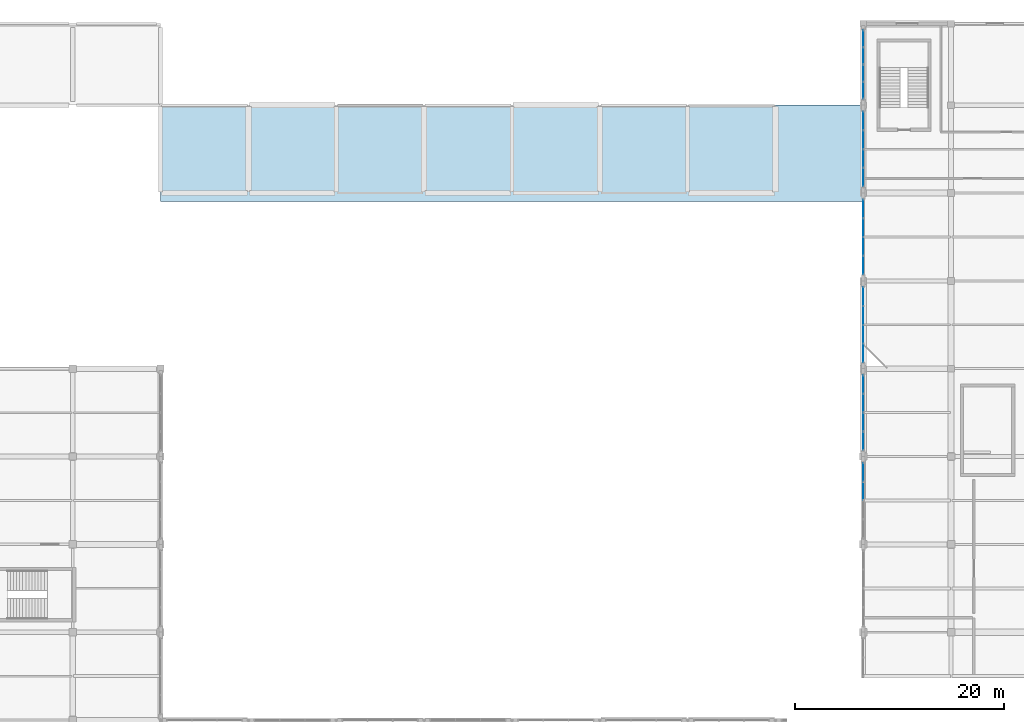
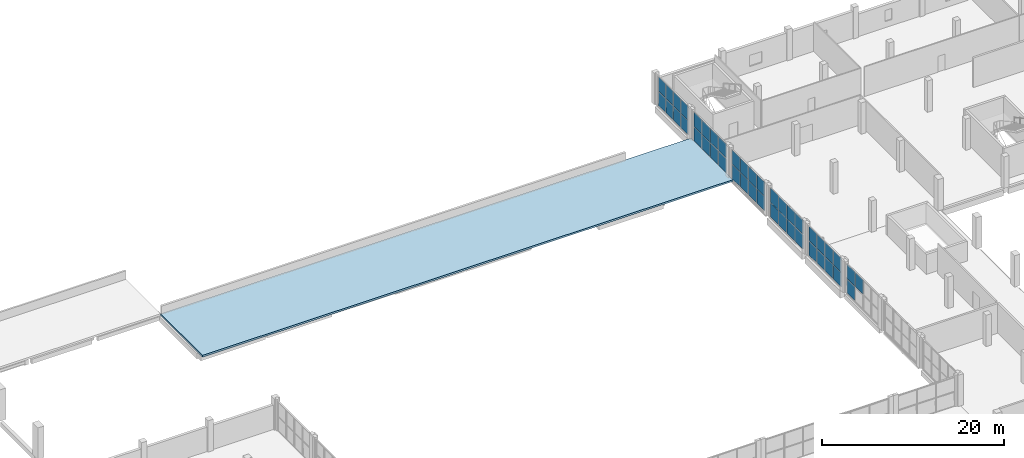
# One storey, part 44 of 59: 43 plates, 1 slab, 6 elements without a shape of their own.
"""IFC4 building model written with IfcOpenShell, lengths in metres."""

from ifc_helpers import new_model, si_unit, derived_unit, direction, frame, origin, origin_2d, place, context, subcontext, project, spatial, polyline, rectangle, outline, extrude, material, layer, layer_set, type_object, element, aggregate, save


model = new_model("IFC4")

# Units and contexts
model_context = context("Model", 3, precision=1e-05, world=origin(), true_north=direction((0.0, 1.0)))
body_context = subcontext(model_context, "Body", "Model", "MODEL_VIEW")
ifc_project = project(units=[si_unit("LENGTHUNIT", "METRE"), si_unit("AREAUNIT", "SQUARE_METRE"), si_unit("VOLUMEUNIT", "CUBIC_METRE"), si_unit("PLANEANGLEUNIT", "RADIAN"), si_unit("MASSUNIT", "GRAM", prefix="KILO"), derived_unit("THERMALTRANSMITTANCEUNIT", [(si_unit("POWERUNIT", "WATT"), 1), (si_unit("LENGTHUNIT", "METRE"), -2), (si_unit("THERMODYNAMICTEMPERATUREUNIT", "KELVIN"), -1)])], contexts=[model_context])

# Site, building, storey
site_placement = place(None, origin())
site = spatial("IfcSite", under=ifc_project, at=site_placement, CompositionType="ELEMENT")
building_placement = place(site_placement, origin())
building = spatial("IfcBuilding", under=site, at=building_placement, Name="Barrovel Congress Hotel", CompositionType="ELEMENT")
storey_placement = place(building_placement, frame((0.0, 0.0, 9.89990234375)))
storey = spatial("IfcBuildingStorey", under=building, at=storey_placement, Name="L02", CompositionType="ELEMENT", Elevation=9.89990234375)

# Curtain wall, plates
ifc_material_1 = material(Name="Anodised Aluminium Alloy 6063-T6", Category="aluminium")
curtain_wall_type = type_object("IfcCurtainWallType", Name="CW-ST-7200x3600", PredefinedType="USERDEFINED", material=ifc_material_1)
curtain_wall_1_placement = place(storey_placement, origin())
curtain_wall_1 = element("IfcCurtainWall", 1, at=curtain_wall_1_placement, inside=storey, type_object=curtain_wall_type, Name="CW:L02:CE:63.0", ObjectType="STICK CURTAIN WALL", PredefinedType="USERDEFINED")
ifc_material_2 = material(Name="Double Low-E Insulated Glazing", Category="glass")
ifc_layer_1 = layer(ifc_material_2, 0.028076171875)
ifc_layer_set_1 = layer_set([ifc_layer_1], Name="Double Low-E Insulated Glazing")
plate_type_1 = type_object("IfcPlateType", Name="CWP-28", PredefinedType="CURTAIN_PANEL", material=ifc_layer_set_1)
plate_1_placement = place(storey_placement, frame((126.0, 69.89990234375, 0.030029296875), z_axis=(0.0, 0.0, 1.0), x_axis=(0.0, -1.0, 0.0)))
plate_1 = element("IfcPlate", 2, at=plate_1_placement, type_object=plate_type_1, Name="CW:L02:CE:63.0:P0-0", PredefinedType="CURTAIN_PANEL", context=body_context, shape_type="SweptSolid", body=[
    extrude(rectangle(XDim=1.739990234375, YDim=0.028076171875, at=origin_2d()), origin(), (0.0, 0.0, 1.0), 1.89990234375),
])
plate_2_placement = place(storey_placement, frame((126.0, 69.89990234375, 1.990234375), z_axis=(0.0, 0.0, 1.0), x_axis=(0.0, -1.0, 0.0)))
plate_2 = element("IfcPlate", 3, at=plate_2_placement, type_object=plate_type_1, Name="CW:L02:CE:63.0:P0-1", PredefinedType="CURTAIN_PANEL", context=body_context, shape_type="SweptSolid", body=[
    extrude(rectangle(XDim=1.739990234375, YDim=0.028076171875, at=origin_2d()), origin(), (0.0, 0.0, 1.0), 1.89990234375),
])
plate_3_placement = place(storey_placement, frame((126.0, 68.10009765625, 1.990234375), z_axis=(0.0, 0.0, 1.0), x_axis=(0.0, -1.0, 0.0)))
plate_3 = element("IfcPlate", 4, at=plate_3_placement, type_object=plate_type_1, Name="CW:L02:CE:63.0:P1-1", PredefinedType="CURTAIN_PANEL", context=body_context, shape_type="SweptSolid", body=[
    extrude(rectangle(XDim=1.739990234375, YDim=0.028076171875, at=origin_2d()), origin(), (0.0, 0.0, 1.0), 1.89990234375),
])
aggregate(curtain_wall_1, [plate_1, plate_2, plate_3])

curtain_wall_2_placement = place(storey_placement, origin())
curtain_wall_2 = element("IfcCurtainWall", 5, at=curtain_wall_2_placement, inside=storey, type_object=curtain_wall_type, Name="CW:L02:CE:79.8", ObjectType="STICK CURTAIN WALL", PredefinedType="USERDEFINED")
plate_4_placement = place(storey_placement, frame((126.0, 86.699951171875, 0.030029296875), z_axis=(0.0, 0.0, 1.0), x_axis=(0.0, -1.0, 0.0)))
plate_4 = element("IfcPlate", 6, at=plate_4_placement, type_object=plate_type_1, Name="CW:L02:CE:79.8:P0-0", PredefinedType="CURTAIN_PANEL", context=body_context, shape_type="SweptSolid", body=[
    extrude(rectangle(XDim=1.739990234375, YDim=0.028076171875, at=origin_2d()), origin(), (0.0, 0.0, 1.0), 1.89990234375),
])
plate_5_placement = place(storey_placement, frame((126.0, 86.699951171875, 1.990234375), z_axis=(0.0, 0.0, 1.0), x_axis=(0.0, -1.0, 0.0)))
plate_5 = element("IfcPlate", 7, at=plate_5_placement, type_object=plate_type_1, Name="CW:L02:CE:79.8:P0-1", PredefinedType="CURTAIN_PANEL", context=body_context, shape_type="SweptSolid", body=[
    extrude(rectangle(XDim=1.739990234375, YDim=0.028076171875, at=origin_2d()), origin(), (0.0, 0.0, 1.0), 1.89990234375),
])
plate_6_placement = place(storey_placement, frame((126.0, 84.89990234375, 0.030029296875), z_axis=(0.0, 0.0, 1.0), x_axis=(0.0, -1.0, 0.0)))
plate_6 = element("IfcPlate", 8, at=plate_6_placement, type_object=plate_type_1, Name="CW:L02:CE:79.8:P1-0", PredefinedType="CURTAIN_PANEL", context=body_context, shape_type="SweptSolid", body=[
    extrude(rectangle(XDim=1.739990234375, YDim=0.028076171875, at=origin_2d()), origin(), (0.0, 0.0, 1.0), 1.89990234375),
])
plate_7_placement = place(storey_placement, frame((126.0, 84.89990234375, 1.990234375), z_axis=(0.0, 0.0, 1.0), x_axis=(0.0, -1.0, 0.0)))
plate_7 = element("IfcPlate", 9, at=plate_7_placement, type_object=plate_type_1, Name="CW:L02:CE:79.8:P1-1", PredefinedType="CURTAIN_PANEL", context=body_context, shape_type="SweptSolid", body=[
    extrude(rectangle(XDim=1.739990234375, YDim=0.028076171875, at=origin_2d()), origin(), (0.0, 0.0, 1.0), 1.89990234375),
])
plate_8_placement = place(storey_placement, frame((126.0, 83.10009765625, 0.030029296875), z_axis=(0.0, 0.0, 1.0), x_axis=(0.0, -1.0, 0.0)))
plate_8 = element("IfcPlate", 10, at=plate_8_placement, type_object=plate_type_1, Name="CW:L02:CE:79.8:P2-0", PredefinedType="CURTAIN_PANEL", context=body_context, shape_type="SweptSolid", body=[
    extrude(rectangle(XDim=1.739990234375, YDim=0.028076171875, at=origin_2d()), origin(), (0.0, 0.0, 1.0), 1.89990234375),
])
plate_9_placement = place(storey_placement, frame((126.0, 83.10009765625, 1.990234375), z_axis=(0.0, 0.0, 1.0), x_axis=(0.0, -1.0, 0.0)))
plate_9 = element("IfcPlate", 11, at=plate_9_placement, type_object=plate_type_1, Name="CW:L02:CE:79.8:P2-1", PredefinedType="CURTAIN_PANEL", context=body_context, shape_type="SweptSolid", body=[
    extrude(rectangle(XDim=1.739990234375, YDim=0.028076171875, at=origin_2d()), origin(), (0.0, 0.0, 1.0), 1.89990234375),
])
plate_10_placement = place(storey_placement, frame((126.0, 81.300048828125, 0.030029296875), z_axis=(0.0, 0.0, 1.0), x_axis=(0.0, -1.0, 0.0)))
plate_10 = element("IfcPlate", 12, at=plate_10_placement, type_object=plate_type_1, Name="CW:L02:CE:79.8:P3-0", PredefinedType="CURTAIN_PANEL", context=body_context, shape_type="SweptSolid", body=[
    extrude(rectangle(XDim=1.739990234375, YDim=0.028076171875, at=origin_2d()), origin(), (0.0, 0.0, 1.0), 1.89990234375),
])
plate_11_placement = place(storey_placement, frame((126.0, 81.300048828125, 1.990234375), z_axis=(0.0, 0.0, 1.0), x_axis=(0.0, -1.0, 0.0)))
plate_11 = element("IfcPlate", 13, at=plate_11_placement, type_object=plate_type_1, Name="CW:L02:CE:79.8:P3-1", PredefinedType="CURTAIN_PANEL", context=body_context, shape_type="SweptSolid", body=[
    extrude(rectangle(XDim=1.739990234375, YDim=0.028076171875, at=origin_2d()), origin(), (0.0, 0.0, 1.0), 1.89990234375),
])
aggregate(curtain_wall_2, [plate_4, plate_5, plate_6, plate_7, plate_8, plate_9, plate_10, plate_11])

curtain_wall_3_placement = place(storey_placement, origin())
curtain_wall_3 = element("IfcCurtainWall", 14, at=curtain_wall_3_placement, inside=storey, type_object=curtain_wall_type, Name="CW:L02:CE:96.6", ObjectType="STICK CURTAIN WALL", PredefinedType="USERDEFINED")
plate_12_placement = place(storey_placement, frame((126.0, 103.5, 0.030029296875), z_axis=(0.0, 0.0, 1.0), x_axis=(0.0, -1.0, 0.0)))
plate_12 = element("IfcPlate", 15, at=plate_12_placement, type_object=plate_type_1, Name="CW:L02:CE:96.6:P0-0", PredefinedType="CURTAIN_PANEL", context=body_context, shape_type="SweptSolid", body=[
    extrude(rectangle(XDim=1.739990234375, YDim=0.028076171875, at=origin_2d()), origin(), (0.0, 0.0, 1.0), 1.89990234375),
])
plate_13_placement = place(storey_placement, frame((126.0, 103.5, 1.990234375), z_axis=(0.0, 0.0, 1.0), x_axis=(0.0, -1.0, 0.0)))
plate_13 = element("IfcPlate", 16, at=plate_13_placement, type_object=plate_type_1, Name="CW:L02:CE:96.6:P0-1", PredefinedType="CURTAIN_PANEL", context=body_context, shape_type="SweptSolid", body=[
    extrude(rectangle(XDim=1.739990234375, YDim=0.028076171875, at=origin_2d()), origin(), (0.0, 0.0, 1.0), 1.89990234375),
])
plate_14_placement = place(storey_placement, frame((126.0, 101.699951171875, 0.030029296875), z_axis=(0.0, 0.0, 1.0), x_axis=(0.0, -1.0, 0.0)))
plate_14 = element("IfcPlate", 17, at=plate_14_placement, type_object=plate_type_1, Name="CW:L02:CE:96.6:P1-0", PredefinedType="CURTAIN_PANEL", context=body_context, shape_type="SweptSolid", body=[
    extrude(rectangle(XDim=1.739990234375, YDim=0.028076171875, at=origin_2d()), origin(), (0.0, 0.0, 1.0), 1.89990234375),
])
plate_15_placement = place(storey_placement, frame((126.0, 101.699951171875, 1.990234375), z_axis=(0.0, 0.0, 1.0), x_axis=(0.0, -1.0, 0.0)))
plate_15 = element("IfcPlate", 18, at=plate_15_placement, type_object=plate_type_1, Name="CW:L02:CE:96.6:P1-1", PredefinedType="CURTAIN_PANEL", context=body_context, shape_type="SweptSolid", body=[
    extrude(rectangle(XDim=1.739990234375, YDim=0.028076171875, at=origin_2d()), origin(), (0.0, 0.0, 1.0), 1.89990234375),
])
plate_16_placement = place(storey_placement, frame((126.0, 99.89990234375, 0.030029296875), z_axis=(0.0, 0.0, 1.0), x_axis=(0.0, -1.0, 0.0)))
plate_16 = element("IfcPlate", 19, at=plate_16_placement, type_object=plate_type_1, Name="CW:L02:CE:96.6:P2-0", PredefinedType="CURTAIN_PANEL", context=body_context, shape_type="SweptSolid", body=[
    extrude(rectangle(XDim=1.739990234375, YDim=0.028076171875, at=origin_2d()), origin(), (0.0, 0.0, 1.0), 1.89990234375),
])
plate_17_placement = place(storey_placement, frame((126.0, 99.89990234375, 1.990234375), z_axis=(0.0, 0.0, 1.0), x_axis=(0.0, -1.0, 0.0)))
plate_17 = element("IfcPlate", 20, at=plate_17_placement, type_object=plate_type_1, Name="CW:L02:CE:96.6:P2-1", PredefinedType="CURTAIN_PANEL", context=body_context, shape_type="SweptSolid", body=[
    extrude(rectangle(XDim=1.739990234375, YDim=0.028076171875, at=origin_2d()), origin(), (0.0, 0.0, 1.0), 1.89990234375),
])
plate_18_placement = place(storey_placement, frame((126.0, 98.10009765625, 0.030029296875), z_axis=(0.0, 0.0, 1.0), x_axis=(0.0, -1.0, 0.0)))
plate_18 = element("IfcPlate", 21, at=plate_18_placement, type_object=plate_type_1, Name="CW:L02:CE:96.6:P3-0", PredefinedType="CURTAIN_PANEL", context=body_context, shape_type="SweptSolid", body=[
    extrude(rectangle(XDim=1.739990234375, YDim=0.028076171875, at=origin_2d()), origin(), (0.0, 0.0, 1.0), 1.89990234375),
])
plate_19_placement = place(storey_placement, frame((126.0, 98.10009765625, 1.990234375), z_axis=(0.0, 0.0, 1.0), x_axis=(0.0, -1.0, 0.0)))
plate_19 = element("IfcPlate", 22, at=plate_19_placement, type_object=plate_type_1, Name="CW:L02:CE:96.6:P3-1", PredefinedType="CURTAIN_PANEL", context=body_context, shape_type="SweptSolid", body=[
    extrude(rectangle(XDim=1.739990234375, YDim=0.028076171875, at=origin_2d()), origin(), (0.0, 0.0, 1.0), 1.89990234375),
])
aggregate(curtain_wall_3, [plate_12, plate_13, plate_14, plate_15, plate_16, plate_17, plate_18, plate_19])

curtain_wall_4_placement = place(storey_placement, origin())
curtain_wall_4 = element("IfcCurtainWall", 23, at=curtain_wall_4_placement, inside=storey, type_object=curtain_wall_type, Name="CW:L02:CE:71.4", ObjectType="STICK CURTAIN WALL", PredefinedType="USERDEFINED")
ifc_layer_2 = layer(ifc_material_2, 0.031982421875)
ifc_layer_set_2 = layer_set([ifc_layer_2], Name="Double Low-E Insulated Glazing")
plate_type_2 = type_object("IfcPlateType", Name="CWP-32", PredefinedType="CURTAIN_PANEL", material=ifc_layer_set_2)
plate_20_placement = place(storey_placement, frame((126.0, 78.300048828125, 0.030029296875), z_axis=(0.0, 0.0, 1.0), x_axis=(0.0, -1.0, 0.0)))
plate_20 = element("IfcPlate", 24, at=plate_20_placement, type_object=plate_type_2, Name="CW:L02:CE:71.4:P0-0", PredefinedType="CURTAIN_PANEL", context=body_context, shape_type="SweptSolid", body=[
    extrude(rectangle(XDim=1.739990234375, YDim=0.031982421875, at=origin_2d()), origin(), (0.0, 0.0, 1.0), 1.89990234375),
])
plate_21_placement = place(storey_placement, frame((126.0, 78.300048828125, 1.990234375), z_axis=(0.0, 0.0, 1.0), x_axis=(0.0, -1.0, 0.0)))
plate_21 = element("IfcPlate", 25, at=plate_21_placement, type_object=plate_type_2, Name="CW:L02:CE:71.4:P0-1", PredefinedType="CURTAIN_PANEL", context=body_context, shape_type="SweptSolid", body=[
    extrude(rectangle(XDim=1.739990234375, YDim=0.031982421875, at=origin_2d()), origin(), (0.0, 0.0, 1.0), 1.89990234375),
])
plate_22_placement = place(storey_placement, frame((126.0, 76.5, 0.030029296875), z_axis=(0.0, 0.0, 1.0), x_axis=(0.0, -1.0, 0.0)))
plate_22 = element("IfcPlate", 26, at=plate_22_placement, type_object=plate_type_2, Name="CW:L02:CE:71.4:P1-0", PredefinedType="CURTAIN_PANEL", context=body_context, shape_type="SweptSolid", body=[
    extrude(rectangle(XDim=1.739990234375, YDim=0.031982421875, at=origin_2d()), origin(), (0.0, 0.0, 1.0), 1.89990234375),
])
plate_23_placement = place(storey_placement, frame((126.0, 76.5, 1.990234375), z_axis=(0.0, 0.0, 1.0), x_axis=(0.0, -1.0, 0.0)))
plate_23 = element("IfcPlate", 27, at=plate_23_placement, type_object=plate_type_2, Name="CW:L02:CE:71.4:P1-1", PredefinedType="CURTAIN_PANEL", context=body_context, shape_type="SweptSolid", body=[
    extrude(rectangle(XDim=1.739990234375, YDim=0.031982421875, at=origin_2d()), origin(), (0.0, 0.0, 1.0), 1.89990234375),
])
plate_24_placement = place(storey_placement, frame((126.0, 74.699951171875, 0.030029296875), z_axis=(0.0, 0.0, 1.0), x_axis=(0.0, -1.0, 0.0)))
plate_24 = element("IfcPlate", 28, at=plate_24_placement, type_object=plate_type_2, Name="CW:L02:CE:71.4:P2-0", PredefinedType="CURTAIN_PANEL", context=body_context, shape_type="SweptSolid", body=[
    extrude(rectangle(XDim=1.739990234375, YDim=0.031982421875, at=origin_2d()), origin(), (0.0, 0.0, 1.0), 1.89990234375),
])
plate_25_placement = place(storey_placement, frame((126.0, 74.699951171875, 1.990234375), z_axis=(0.0, 0.0, 1.0), x_axis=(0.0, -1.0, 0.0)))
plate_25 = element("IfcPlate", 29, at=plate_25_placement, type_object=plate_type_2, Name="CW:L02:CE:71.4:P2-1", PredefinedType="CURTAIN_PANEL", context=body_context, shape_type="SweptSolid", body=[
    extrude(rectangle(XDim=1.739990234375, YDim=0.031982421875, at=origin_2d()), origin(), (0.0, 0.0, 1.0), 1.89990234375),
])
plate_26_placement = place(storey_placement, frame((126.0, 72.89990234375, 0.030029296875), z_axis=(0.0, 0.0, 1.0), x_axis=(0.0, -1.0, 0.0)))
plate_26 = element("IfcPlate", 30, at=plate_26_placement, type_object=plate_type_2, Name="CW:L02:CE:71.4:P3-0", PredefinedType="CURTAIN_PANEL", context=body_context, shape_type="SweptSolid", body=[
    extrude(rectangle(XDim=1.739990234375, YDim=0.031982421875, at=origin_2d()), origin(), (0.0, 0.0, 1.0), 1.89990234375),
])
plate_27_placement = place(storey_placement, frame((126.0, 72.89990234375, 1.990234375), z_axis=(0.0, 0.0, 1.0), x_axis=(0.0, -1.0, 0.0)))
plate_27 = element("IfcPlate", 31, at=plate_27_placement, type_object=plate_type_2, Name="CW:L02:CE:71.4:P3-1", PredefinedType="CURTAIN_PANEL", context=body_context, shape_type="SweptSolid", body=[
    extrude(rectangle(XDim=1.739990234375, YDim=0.031982421875, at=origin_2d()), origin(), (0.0, 0.0, 1.0), 1.89990234375),
])
aggregate(curtain_wall_4, [plate_20, plate_21, plate_22, plate_23, plate_24, plate_25, plate_26, plate_27])

curtain_wall_5_placement = place(storey_placement, origin())
curtain_wall_5 = element("IfcCurtainWall", 32, at=curtain_wall_5_placement, inside=storey, type_object=curtain_wall_type, Name="CW:L02:CE:88.2", ObjectType="STICK CURTAIN WALL", PredefinedType="USERDEFINED")
plate_28_placement = place(storey_placement, frame((126.0, 95.10009765625, 0.030029296875), z_axis=(0.0, 0.0, 1.0), x_axis=(0.0, -1.0, 0.0)))
plate_28 = element("IfcPlate", 33, at=plate_28_placement, type_object=plate_type_2, Name="CW:L02:CE:88.2:P0-0", PredefinedType="CURTAIN_PANEL", context=body_context, shape_type="SweptSolid", body=[
    extrude(rectangle(XDim=1.739990234375, YDim=0.031982421875, at=origin_2d()), origin(), (0.0, 0.0, 1.0), 1.89990234375),
])
plate_29_placement = place(storey_placement, frame((126.0, 95.10009765625, 1.990234375), z_axis=(0.0, 0.0, 1.0), x_axis=(0.0, -1.0, 0.0)))
plate_29 = element("IfcPlate", 34, at=plate_29_placement, type_object=plate_type_2, Name="CW:L02:CE:88.2:P0-1", PredefinedType="CURTAIN_PANEL", context=body_context, shape_type="SweptSolid", body=[
    extrude(rectangle(XDim=1.739990234375, YDim=0.031982421875, at=origin_2d()), origin(), (0.0, 0.0, 1.0), 1.89990234375),
])
plate_30_placement = place(storey_placement, frame((126.0, 93.300048828125, 0.030029296875), z_axis=(0.0, 0.0, 1.0), x_axis=(0.0, -1.0, 0.0)))
plate_30 = element("IfcPlate", 35, at=plate_30_placement, type_object=plate_type_2, Name="CW:L02:CE:88.2:P1-0", PredefinedType="CURTAIN_PANEL", context=body_context, shape_type="SweptSolid", body=[
    extrude(rectangle(XDim=1.739990234375, YDim=0.031982421875, at=origin_2d()), origin(), (0.0, 0.0, 1.0), 1.89990234375),
])
plate_31_placement = place(storey_placement, frame((126.0, 93.300048828125, 1.990234375), z_axis=(0.0, 0.0, 1.0), x_axis=(0.0, -1.0, 0.0)))
plate_31 = element("IfcPlate", 36, at=plate_31_placement, type_object=plate_type_2, Name="CW:L02:CE:88.2:P1-1", PredefinedType="CURTAIN_PANEL", context=body_context, shape_type="SweptSolid", body=[
    extrude(rectangle(XDim=1.739990234375, YDim=0.031982421875, at=origin_2d()), origin(), (0.0, 0.0, 1.0), 1.89990234375),
])
plate_32_placement = place(storey_placement, frame((126.0, 91.5, 0.030029296875), z_axis=(0.0, 0.0, 1.0), x_axis=(0.0, -1.0, 0.0)))
plate_32 = element("IfcPlate", 37, at=plate_32_placement, type_object=plate_type_2, Name="CW:L02:CE:88.2:P2-0", PredefinedType="CURTAIN_PANEL", context=body_context, shape_type="SweptSolid", body=[
    extrude(rectangle(XDim=1.739990234375, YDim=0.031982421875, at=origin_2d()), origin(), (0.0, 0.0, 1.0), 1.89990234375),
])
plate_33_placement = place(storey_placement, frame((126.0, 91.5, 1.990234375), z_axis=(0.0, 0.0, 1.0), x_axis=(0.0, -1.0, 0.0)))
plate_33 = element("IfcPlate", 38, at=plate_33_placement, type_object=plate_type_2, Name="CW:L02:CE:88.2:P2-1", PredefinedType="CURTAIN_PANEL", context=body_context, shape_type="SweptSolid", body=[
    extrude(rectangle(XDim=1.739990234375, YDim=0.031982421875, at=origin_2d()), origin(), (0.0, 0.0, 1.0), 1.89990234375),
])
plate_34_placement = place(storey_placement, frame((126.0, 89.699951171875, 0.030029296875), z_axis=(0.0, 0.0, 1.0), x_axis=(0.0, -1.0, 0.0)))
plate_34 = element("IfcPlate", 39, at=plate_34_placement, type_object=plate_type_2, Name="CW:L02:CE:88.2:P3-0", PredefinedType="CURTAIN_PANEL", context=body_context, shape_type="SweptSolid", body=[
    extrude(rectangle(XDim=1.739990234375, YDim=0.031982421875, at=origin_2d()), origin(), (0.0, 0.0, 1.0), 1.89990234375),
])
plate_35_placement = place(storey_placement, frame((126.0, 89.699951171875, 1.990234375), z_axis=(0.0, 0.0, 1.0), x_axis=(0.0, -1.0, 0.0)))
plate_35 = element("IfcPlate", 40, at=plate_35_placement, type_object=plate_type_2, Name="CW:L02:CE:88.2:P3-1", PredefinedType="CURTAIN_PANEL", context=body_context, shape_type="SweptSolid", body=[
    extrude(rectangle(XDim=1.739990234375, YDim=0.031982421875, at=origin_2d()), origin(), (0.0, 0.0, 1.0), 1.89990234375),
])
aggregate(curtain_wall_5, [plate_28, plate_29, plate_30, plate_31, plate_32, plate_33, plate_34, plate_35])

curtain_wall_6_placement = place(storey_placement, origin())
curtain_wall_6 = element("IfcCurtainWall", 41, at=curtain_wall_6_placement, inside=storey, type_object=curtain_wall_type, Name="CW:L02:CE:105.0", ObjectType="STICK CURTAIN WALL", PredefinedType="USERDEFINED")
plate_36_placement = place(storey_placement, frame((126.0, 111.375, 0.030029296875), z_axis=(0.0, 0.0, 1.0), x_axis=(0.0, -1.0, 0.0)))
plate_36 = element("IfcPlate", 42, at=plate_36_placement, type_object=plate_type_2, Name="CW:L02:CE:105.0:P0-0", PredefinedType="CURTAIN_PANEL", context=body_context, shape_type="SweptSolid", body=[
    extrude(rectangle(XDim=1.590087890625, YDim=0.031982421875, at=origin_2d()), origin(), (0.0, 0.0, 1.0), 1.89990234375),
])
plate_37_placement = place(storey_placement, frame((126.0, 111.375, 1.990234375), z_axis=(0.0, 0.0, 1.0), x_axis=(0.0, -1.0, 0.0)))
plate_37 = element("IfcPlate", 43, at=plate_37_placement, type_object=plate_type_2, Name="CW:L02:CE:105.0:P0-1", PredefinedType="CURTAIN_PANEL", context=body_context, shape_type="SweptSolid", body=[
    extrude(rectangle(XDim=1.590087890625, YDim=0.031982421875, at=origin_2d()), origin(), (0.0, 0.0, 1.0), 1.89990234375),
])
plate_38_placement = place(storey_placement, frame((126.0, 109.72509765625, 0.030029296875), z_axis=(0.0, 0.0, 1.0), x_axis=(0.0, -1.0, 0.0)))
plate_38 = element("IfcPlate", 44, at=plate_38_placement, type_object=plate_type_2, Name="CW:L02:CE:105.0:P1-0", PredefinedType="CURTAIN_PANEL", context=body_context, shape_type="SweptSolid", body=[
    extrude(rectangle(XDim=1.590087890625, YDim=0.031982421875, at=origin_2d()), origin(), (0.0, 0.0, 1.0), 1.89990234375),
])
plate_39_placement = place(storey_placement, frame((126.0, 109.72509765625, 1.990234375), z_axis=(0.0, 0.0, 1.0), x_axis=(0.0, -1.0, 0.0)))
plate_39 = element("IfcPlate", 45, at=plate_39_placement, type_object=plate_type_2, Name="CW:L02:CE:105.0:P1-1", PredefinedType="CURTAIN_PANEL", context=body_context, shape_type="SweptSolid", body=[
    extrude(rectangle(XDim=1.590087890625, YDim=0.031982421875, at=origin_2d()), origin(), (0.0, 0.0, 1.0), 1.89990234375),
])
plate_40_placement = place(storey_placement, frame((126.0, 108.074951171875, 0.030029296875), z_axis=(0.0, 0.0, 1.0), x_axis=(0.0, -1.0, 0.0)))
plate_40 = element("IfcPlate", 46, at=plate_40_placement, type_object=plate_type_2, Name="CW:L02:CE:105.0:P2-0", PredefinedType="CURTAIN_PANEL", context=body_context, shape_type="SweptSolid", body=[
    extrude(rectangle(XDim=1.590087890625, YDim=0.031982421875, at=origin_2d()), origin(), (0.0, 0.0, 1.0), 1.89990234375),
])
plate_41_placement = place(storey_placement, frame((126.0, 108.074951171875, 1.990234375), z_axis=(0.0, 0.0, 1.0), x_axis=(0.0, -1.0, 0.0)))
plate_41 = element("IfcPlate", 47, at=plate_41_placement, type_object=plate_type_2, Name="CW:L02:CE:105.0:P2-1", PredefinedType="CURTAIN_PANEL", context=body_context, shape_type="SweptSolid", body=[
    extrude(rectangle(XDim=1.590087890625, YDim=0.031982421875, at=origin_2d()), origin(), (0.0, 0.0, 1.0), 1.89990234375),
])
plate_42_placement = place(storey_placement, frame((126.0, 106.425048828125, 0.030029296875), z_axis=(0.0, 0.0, 1.0), x_axis=(0.0, -1.0, 0.0)))
plate_42 = element("IfcPlate", 48, at=plate_42_placement, type_object=plate_type_2, Name="CW:L02:CE:105.0:P3-0", PredefinedType="CURTAIN_PANEL", context=body_context, shape_type="SweptSolid", body=[
    extrude(rectangle(XDim=1.590087890625, YDim=0.031982421875, at=origin_2d()), origin(), (0.0, 0.0, 1.0), 1.89990234375),
])
plate_43_placement = place(storey_placement, frame((126.0, 106.425048828125, 1.990234375), z_axis=(0.0, 0.0, 1.0), x_axis=(0.0, -1.0, 0.0)))
plate_43 = element("IfcPlate", 49, at=plate_43_placement, type_object=plate_type_2, Name="CW:L02:CE:105.0:P3-1", PredefinedType="CURTAIN_PANEL", context=body_context, shape_type="SweptSolid", body=[
    extrude(rectangle(XDim=1.590087890625, YDim=0.031982421875, at=origin_2d()), origin(), (0.0, 0.0, 1.0), 1.89990234375),
])
aggregate(curtain_wall_6, [plate_36, plate_37, plate_38, plate_39, plate_40, plate_41, plate_42, plate_43])

# Slab
ifc_material_3 = material(Name="Concrete C35", Category="concrete")
ifc_layer_3 = layer(ifc_material_3, 0.239990234375)
ifc_layer_set_3 = layer_set([ifc_layer_3], Name="Concrete C35")
slab_type = type_object("IfcSlabType", Name="SL-R240", PredefinedType="ROOF", material=ifc_layer_set_3)
slab_placement = place(storey_placement, frame((0.0, 0.0, -0.239990234375)))
element("IfcSlab", 50, at=slab_placement, inside=storey, type_object=slab_type, Name="SLAB:L02:V5-NPAV-ROOF", PredefinedType="ROOF", context=body_context, shape_type="SweptSolid", body=[
    extrude(outline(polyline([(58.800048828125, 95.800048828125), (126.0, 95.800048828125), (126.0, 105.0), (58.800048828125, 105.0), (58.800048828125, 95.800048828125)])), origin(), (0.0, 0.0, 1.0), 0.239990234375),
])

save(model, "model.ifc")
